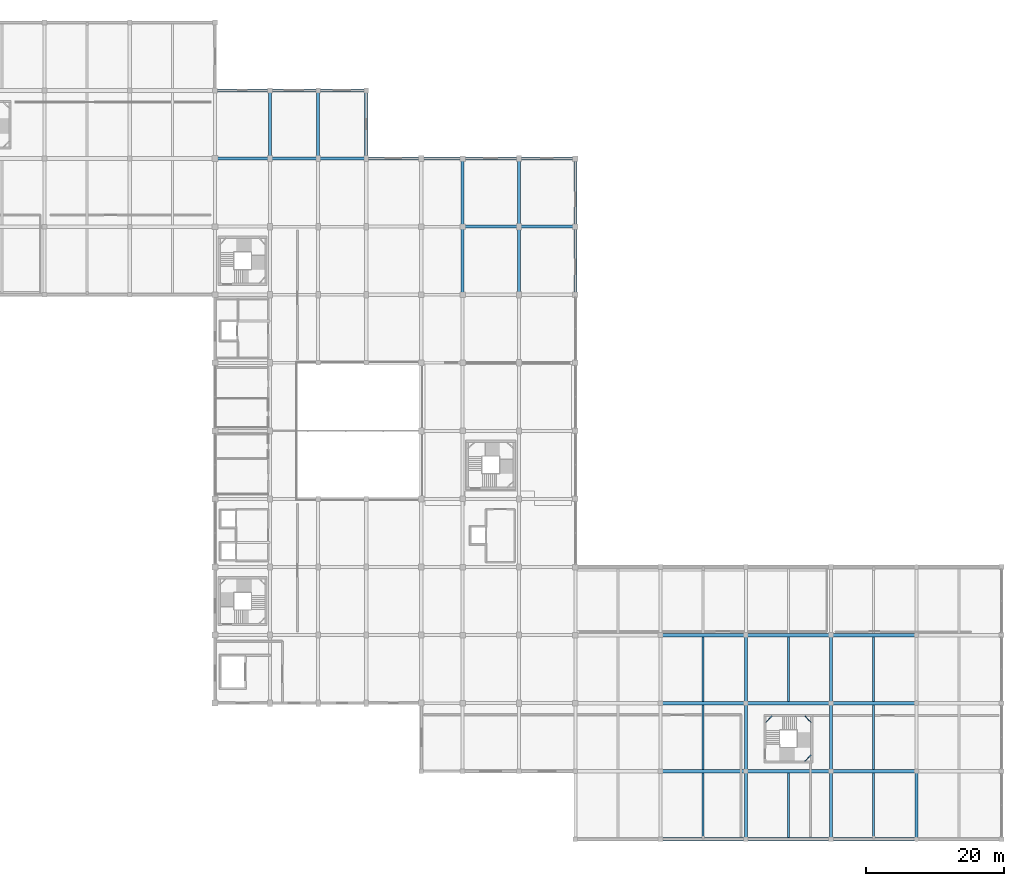
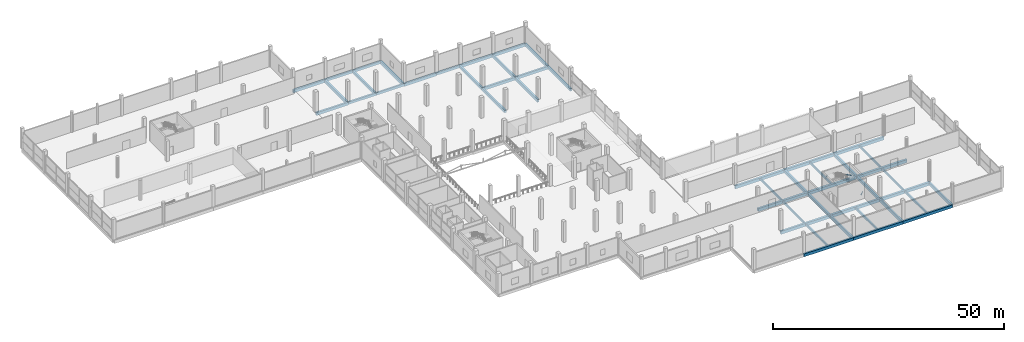
# One storey, part 33 of 74: 51 beams.
"""IFC4 building model written with IfcOpenShell, lengths in metres."""

from ifc_helpers import new_model, si_unit, direction, frame, origin, origin_2d, place, context, subcontext, project, spatial, rectangle, hollow_rectangle, extrude, material, material_profile, profile_set, type_object, element, save


model = new_model("IFC4")

# Units and contexts
model_context = context("Model", 3, precision=1e-05, world=origin(), true_north=direction((0.0, 1.0)))
body_context = subcontext(model_context, "Body", "Model", "MODEL_VIEW")
ifc_project = project(units=[si_unit("LENGTHUNIT", "METRE"), si_unit("AREAUNIT", "SQUARE_METRE"), si_unit("VOLUMEUNIT", "CUBIC_METRE"), si_unit("PLANEANGLEUNIT", "RADIAN"), si_unit("MASSUNIT", "GRAM", prefix="KILO")], contexts=[model_context])

# Site, building, storey
site_placement = place(None, origin())
site = spatial("IfcSite", under=ifc_project, at=site_placement, CompositionType="ELEMENT")
building_placement = place(site_placement, origin())
building = spatial("IfcBuilding", under=site, at=building_placement, Name="Sillaruma Civic Art Gallery", CompositionType="ELEMENT")
storey_placement = place(building_placement, frame((0.0, 0.0, 5.43994140625)))
storey = spatial("IfcBuildingStorey", under=building, at=storey_placement, Name="L01", CompositionType="ELEMENT", Elevation=5.43994140625)

# Beams
ifc_material_1 = material(Name="Concrete H35 (35 MPa)", Category="concrete")
ifc_material_profile_1 = material_profile(ifc_material_1, rectangle(XDim=0.39990234375, YDim=0.64990234375, at=origin_2d()), Name="RCB400x650")
ifc_profile_set_1 = profile_set([ifc_material_profile_1], Name="Concrete H35 (35 MPa)")
beam_type_1 = type_object("IfcBeamType", Name="BM-BEAM-RCB400x650", PredefinedType="BEAM", material=ifc_profile_set_1)
for number, where, z_axis, x_axis, name in (
    (1, (70.0, 99.0, -0.5849609375), (1.0, 0.0, 0.0), (0.0, 1.0, 0.0), "Beam BM-05 (L00:11:G-H)"),
    (2, (77.0, 99.0, -0.5849609375), (1.0, 0.0, 0.0), (0.0, 1.0, 0.0), "Beam BM-05 (L00:11:H-J)"),
):
    element("IfcBeam", number, at=place(storey_placement, frame(where, z_axis=z_axis, x_axis=x_axis)), inside=storey, type_object=beam_type_1, Name=name, PredefinedType="BEAM", context=body_context, shape_type="SweptSolid", body=[
        extrude(rectangle(XDim=0.39990234375, YDim=0.64990234375, at=origin_2d()), origin(), (0.0, 0.0, 1.0), 7.0),
    ])
beam_1_placement = place(storey_placement, frame((92.0, 99.0, -0.5849609375), z_axis=(1.0, 0.0, 0.0), x_axis=(0.0, 1.0, 0.0)))
element("IfcBeam", 3, at=beam_1_placement, inside=storey, type_object=beam_type_1, Name="Beam BM-05 (L00:11:K-L)", PredefinedType="BEAM", context=body_context, shape_type="SweptSolid", body=[
    extrude(rectangle(XDim=0.39990234375, YDim=0.64990234375, at=origin_2d()), origin(), (0.0, 0.0, 1.0), 6.0),
])
for number, where, z_axis, x_axis, name in (
    (4, (70.0, 108.89990234375, -0.5849609375), (1.0, 0.0, 0.0), (0.0, 1.0, 0.0), "Beam BM-05 (L00:12:G-H)"),
    (5, (77.0, 108.89990234375, -0.5849609375), (1.0, 0.0, 0.0), (0.0, 1.0, 0.0), "Beam BM-05 (L00:12:H-J)"),
):
    element("IfcBeam", number, at=place(storey_placement, frame(where, z_axis=z_axis, x_axis=x_axis)), inside=storey, type_object=beam_type_1, Name=name, PredefinedType="BEAM", context=body_context, shape_type="SweptSolid", body=[
        extrude(rectangle(XDim=0.39990234375, YDim=0.64990234375, at=origin_2d()), origin(), (0.0, 0.0, 1.0), 7.0),
    ])
ifc_material_2 = material(Name="Concrete H40 (40 MPa)", Category="concrete")
ifc_material_profile_2 = material_profile(ifc_material_2, rectangle(XDim=0.449951171875, YDim=0.75, at=origin_2d()), Name="RCB450x750")
ifc_profile_set_2 = profile_set([ifc_material_profile_2], Name="Concrete H40 (40 MPa)")
beam_type_2 = type_object("IfcBeamType", Name="BM-BEAM-RCB450x750", PredefinedType="BEAM", material=ifc_profile_set_2)
for number, where, z_axis, x_axis, name in (
    (6, (98.0, 89.10009765625, -0.635009765625), (1.0, 0.0, 0.0), (0.0, 1.0, 0.0), "Beam BM-03 (L00:10:L-M)"),
    (7, (106.199951171875, 89.10009765625, -0.635009765625), (1.0, 0.0, 0.0), (0.0, 1.0, 0.0), "Beam BM-03 (L00:10:M-N)"),
):
    element("IfcBeam", number, at=place(storey_placement, frame(where, z_axis=z_axis, x_axis=x_axis)), inside=storey, type_object=beam_type_2, Name=name, PredefinedType="BEAM", context=body_context, shape_type="SweptSolid", body=[
        extrude(rectangle(XDim=0.449951171875, YDim=0.75, at=origin_2d()), origin(), (0.0, 0.0, 1.0), 8.199951171875),
    ])
for number, where, z_axis, x_axis, name in (
    (8, (62.0, 99.0, -0.635009765625), (1.0, 0.0, 0.0), (0.0, 1.0, 0.0), "Beam BM-03 (L00:11:F-G)"),
    (9, (84.0, 99.0, -0.635009765625), (1.0, 0.0, 0.0), (0.0, 1.0, 0.0), "Beam BM-03 (L00:11:J-K)"),
):
    element("IfcBeam", number, at=place(storey_placement, frame(where, z_axis=z_axis, x_axis=x_axis)), inside=storey, type_object=beam_type_2, Name=name, PredefinedType="BEAM", context=body_context, shape_type="SweptSolid", body=[
        extrude(rectangle(XDim=0.449951171875, YDim=0.75, at=origin_2d()), origin(), (0.0, 0.0, 1.0), 8.0),
    ])
for number, where, z_axis, x_axis, name in (
    (10, (98.0, 99.0, -0.635009765625), (1.0, 0.0, 0.0), (0.0, 1.0, 0.0), "Beam BM-03 (L00:11:L-M)"),
    (11, (106.199951171875, 99.0, -0.635009765625), (1.0, 0.0, 0.0), (0.0, 1.0, 0.0), "Beam BM-03 (L00:11:M-N)"),
):
    element("IfcBeam", number, at=place(storey_placement, frame(where, z_axis=z_axis, x_axis=x_axis)), inside=storey, type_object=beam_type_2, Name=name, PredefinedType="BEAM", context=body_context, shape_type="SweptSolid", body=[
        extrude(rectangle(XDim=0.449951171875, YDim=0.75, at=origin_2d()), origin(), (0.0, 0.0, 1.0), 8.199951171875),
    ])
beam_2_placement = place(storey_placement, frame((62.0, 108.89990234375, -0.635009765625), z_axis=(1.0, 0.0, 0.0), x_axis=(0.0, 1.0, 0.0)))
element("IfcBeam", 12, at=beam_2_placement, inside=storey, type_object=beam_type_2, Name="Beam BM-03 (L00:12:F-G)", PredefinedType="BEAM", context=body_context, shape_type="SweptSolid", body=[
    extrude(rectangle(XDim=0.449951171875, YDim=0.75, at=origin_2d()), origin(), (0.0, 0.0, 1.0), 8.0),
])
for number, where, z_axis, x_axis, name in (
    (13, (70.0, 99.0, -0.635009765625), (0.0, 1.0, 0.0), (-1.0, 0.0, 0.0), "Beam BM-03 (L00:G:11-12)"),
    (14, (77.0, 99.0, -0.635009765625), (0.0, 1.0, 0.0), (-1.0, 0.0, 0.0), "Beam BM-03 (L00:H:11-12)"),
    (15, (84.0, 99.0, -0.635009765625), (0.0, 1.0, 0.0), (-1.0, 0.0, 0.0), "Beam BM-03 (L00:J:11-12)"),
):
    element("IfcBeam", number, at=place(storey_placement, frame(where, z_axis=z_axis, x_axis=x_axis)), inside=storey, type_object=beam_type_2, Name=name, PredefinedType="BEAM", context=body_context, shape_type="SweptSolid", body=[
        extrude(rectangle(XDim=0.449951171875, YDim=0.75, at=origin_2d()), origin(), (0.0, 0.0, 1.0), 9.89990234375),
    ])
beam_3_placement = place(storey_placement, frame((106.199951171875, 79.199951171875, -0.635009765625), z_axis=(0.0, 1.0, 0.0), x_axis=(-1.0, 0.0, 0.0)))
element("IfcBeam", 16, at=beam_3_placement, inside=storey, type_object=beam_type_2, Name="Beam BM-03 (L00:M:9-10)", PredefinedType="BEAM", context=body_context, shape_type="SweptSolid", body=[
    extrude(rectangle(XDim=0.449951171875, YDim=0.75, at=origin_2d()), origin(), (0.0, 0.0, 1.0), 9.900146484375),
])
for number, where, z_axis, x_axis, name in (
    (17, (106.199951171875, 89.10009765625, -0.635009765625), (0.0, 1.0, 0.0), (-1.0, 0.0, 0.0), "Beam BM-03 (L00:M:10-11)"),
    (18, (139.199951171875, 0.0, -0.635009765625), (0.0, 1.0, 0.0), (-1.0, 0.0, 0.0), "Beam BM-03 (L00:Q:1-2)"),
):
    element("IfcBeam", number, at=place(storey_placement, frame(where, z_axis=z_axis, x_axis=x_axis)), inside=storey, type_object=beam_type_2, Name=name, PredefinedType="BEAM", context=body_context, shape_type="SweptSolid", body=[
        extrude(rectangle(XDim=0.449951171875, YDim=0.75, at=origin_2d()), origin(), (0.0, 0.0, 1.0), 9.89990234375),
    ])
beam_4_placement = place(storey_placement, frame((139.199951171875, 9.89990234375, -0.635009765625), z_axis=(0.0, 1.0, 0.0), x_axis=(-1.0, 0.0, 0.0)))
element("IfcBeam", 19, at=beam_4_placement, inside=storey, type_object=beam_type_2, Name="Beam BM-03 (L00:Q:2-3)", PredefinedType="BEAM", context=body_context, shape_type="SweptSolid", body=[
    extrude(rectangle(XDim=0.449951171875, YDim=0.75, at=origin_2d()), origin(), (0.0, 0.0, 1.0), 9.900146484375),
])
for number, where, z_axis, x_axis, name in (
    (20, (139.199951171875, 19.800048828125, -0.635009765625), (0.0, 1.0, 0.0), (-1.0, 0.0, 0.0), "Beam BM-03 (L00:Q:3-4)"),
    (21, (151.60009765625, 0.0, -0.635009765625), (0.0, 1.0, 0.0), (-1.0, 0.0, 0.0), "Beam BM-03 (L00:R:1-2)"),
):
    element("IfcBeam", number, at=place(storey_placement, frame(where, z_axis=z_axis, x_axis=x_axis)), inside=storey, type_object=beam_type_2, Name=name, PredefinedType="BEAM", context=body_context, shape_type="SweptSolid", body=[
        extrude(rectangle(XDim=0.449951171875, YDim=0.75, at=origin_2d()), origin(), (0.0, 0.0, 1.0), 9.89990234375),
    ])
beam_5_placement = place(storey_placement, frame((151.60009765625, 9.89990234375, -0.635009765625), z_axis=(0.0, 1.0, 0.0), x_axis=(-1.0, 0.0, 0.0)))
element("IfcBeam", 22, at=beam_5_placement, inside=storey, type_object=beam_type_2, Name="Beam BM-03 (L00:R:2-3)", PredefinedType="BEAM", context=body_context, shape_type="SweptSolid", body=[
    extrude(rectangle(XDim=0.449951171875, YDim=0.75, at=origin_2d()), origin(), (0.0, 0.0, 1.0), 9.900146484375),
])
for number, where, z_axis, x_axis, name in (
    (23, (151.60009765625, 19.800048828125, -0.635009765625), (0.0, 1.0, 0.0), (-1.0, 0.0, 0.0), "Beam BM-03 (L00:R:3-4)"),
    (24, (164.0, 0.0, -0.635009765625), (0.0, 1.0, 0.0), (-1.0, 0.0, 0.0), "Beam BM-03 (L00:S:1-2)"),
):
    element("IfcBeam", number, at=place(storey_placement, frame(where, z_axis=z_axis, x_axis=x_axis)), inside=storey, type_object=beam_type_2, Name=name, PredefinedType="BEAM", context=body_context, shape_type="SweptSolid", body=[
        extrude(rectangle(XDim=0.449951171875, YDim=0.75, at=origin_2d()), origin(), (0.0, 0.0, 1.0), 9.89990234375),
    ])
ifc_material_profile_3 = material_profile(ifc_material_1, rectangle(XDim=0.300048828125, YDim=0.52001953125, at=origin_2d()), Name="RCB300x520")
ifc_profile_set_3 = profile_set([ifc_material_profile_3], Name="Concrete H35 (35 MPa)")
beam_type_3 = type_object("IfcBeamType", Name="BM-JOIST-RCB300x520", PredefinedType="JOIST", material=ifc_profile_set_3)
for number, where, z_axis, x_axis, name in (
    (25, (133.0, 0.22509765625, -0.52001953125), (0.0, 1.0, 0.0), (-1.0, 0.0, 0.0), "Floor Joist JR-01 (L00:PQ:1-2)"),
    (26, (145.39990234375, 0.22509765625, -0.52001953125), (0.0, 1.0, 0.0), (-1.0, 0.0, 0.0), "Floor Joist JR-01 (L00:QR:1-2)"),
    (27, (157.800048828125, 0.22509765625, -0.52001953125), (0.0, 1.0, 0.0), (-1.0, 0.0, 0.0), "Floor Joist JR-01 (L00:RS:1-2)"),
):
    element("IfcBeam", number, at=place(storey_placement, frame(where, z_axis=z_axis, x_axis=x_axis)), inside=storey, type_object=beam_type_3, Name=name, PredefinedType="JOIST", context=body_context, shape_type="SweptSolid", body=[
        extrude(rectangle(XDim=0.300048828125, YDim=0.52001953125, at=origin_2d()), origin(), (0.0, 0.0, 1.0), 9.414794921875),
    ])
for number, where, z_axis, x_axis, name in (
    (28, (133.0, 10.159912109375, -0.52001953125), (0.0, 1.0, 0.0), (-1.0, 0.0, 0.0), "Floor Joist JR-01 (L00:PQ:2-3)"),
    (29, (157.800048828125, 10.159912109375, -0.52001953125), (0.0, 1.0, 0.0), (-1.0, 0.0, 0.0), "Floor Joist JR-01 (L00:RS:2-3)"),
):
    element("IfcBeam", number, at=place(storey_placement, frame(where, z_axis=z_axis, x_axis=x_axis)), inside=storey, type_object=beam_type_3, Name=name, PredefinedType="JOIST", context=body_context, shape_type="SweptSolid", body=[
        extrude(rectangle(XDim=0.300048828125, YDim=0.52001953125, at=origin_2d()), origin(), (0.0, 0.0, 1.0), 9.380126953125),
    ])
for number, where, z_axis, x_axis, name in (
    (30, (133.0, 20.06005859375, -0.52001953125), (0.0, 1.0, 0.0), (-1.0, 0.0, 0.0), "Floor Joist JR-01 (L00:PQ:3-4)"),
    (31, (145.39990234375, 20.06005859375, -0.52001953125), (0.0, 1.0, 0.0), (-1.0, 0.0, 0.0), "Floor Joist JR-01 (L00:QR:3-4)"),
    (32, (157.800048828125, 20.06005859375, -0.52001953125), (0.0, 1.0, 0.0), (-1.0, 0.0, 0.0), "Floor Joist JR-01 (L00:RS:3-4)"),
):
    element("IfcBeam", number, at=place(storey_placement, frame(where, z_axis=z_axis, x_axis=x_axis)), inside=storey, type_object=beam_type_3, Name=name, PredefinedType="JOIST", context=body_context, shape_type="SweptSolid", body=[
        extrude(rectangle(XDim=0.300048828125, YDim=0.52001953125, at=origin_2d()), origin(), (0.0, 0.0, 1.0), 9.3798828125),
    ])
ifc_material_3 = material(Name="Structural Steel ASTM A500 Gr.C", Category="steel")
ifc_material_profile_4 = material_profile(ifc_material_3, hollow_rectangle(XDim=0.080078125, YDim=0.159912109375, WallThickness=0.008056640625, InnerFilletRadius=0.008056640625, OuterFilletRadius=0.01611328125, at=origin_2d()), Name="HSS160x80x8")
ifc_profile_set_4 = profile_set([ifc_material_profile_4], Name="Structural Steel ASTM A500 Gr.C")
beam_type_4 = type_object("IfcBeamType", Name="BM-LND-HSS160", PredefinedType="BEAM", material=ifc_profile_set_4)
for number, where, z_axis, x_axis, name in (
    (33, (147.7900390625, 11.360107421875, 1.080078125), (0.707106781187, 0.707106781187, 0.0), (-0.707106781187, 0.707106781187, 0.0), "Stair Corner Landing Trimmer Beam (ST-05-L01-1)"),
    (34, (147.7900390625, 17.919921875, 2.43994140625), (0.707106781187, -0.707106781187, 0.0), (0.707106781187, 0.707106781187, 0.0), "Stair Corner Landing Trimmer Beam (ST-05-L01-2)"),
    (35, (142.1201171875, 17.030029296875, 3.800048828125), (0.707106781187, 0.707106781187, 0.0), (-0.707106781187, 0.707106781187, 0.0), "Stair Corner Landing Trimmer Beam (ST-05-L01-3)"),
):
    element("IfcBeam", number, at=place(storey_placement, frame(where, z_axis=z_axis, x_axis=x_axis)), inside=storey, type_object=beam_type_4, Name=name, PredefinedType="BEAM", context=body_context, shape_type="SweptSolid", body=[
        extrude(hollow_rectangle(XDim=0.080078125, YDim=0.159912109375, WallThickness=0.008056640625, InnerFilletRadius=0.008056640625, OuterFilletRadius=0.01611328125, at=origin_2d()), origin(), (0.0, 0.0, 1.0), 1.258544921875),
    ])
ifc_material_profile_5 = material_profile(ifc_material_1, rectangle(XDim=0.449951171875, YDim=0.699951171875, at=origin_2d()), Name="RCB450x700")
ifc_profile_set_5 = profile_set([ifc_material_profile_5], Name="Concrete H35 (35 MPa)")
beam_type_5 = type_object("IfcBeamType", Name="BM-SPANDREL-RCB450x700", PredefinedType="SPANDREL", material=ifc_profile_set_5)
beam_6_placement = place(storey_placement, frame((98.0, 79.199951171875, -0.60986328125), z_axis=(0.0, 1.0, 0.0), x_axis=(-1.0, 0.0, 0.0)))
element("IfcBeam", 36, at=beam_6_placement, inside=storey, type_object=beam_type_5, Name="Beam BS-03 (L00:L:9-10)", PredefinedType="SPANDREL", context=body_context, shape_type="SweptSolid", body=[
    extrude(rectangle(XDim=0.449951171875, YDim=0.699951171875, at=origin_2d()), origin(), (0.0, 0.0, 1.0), 9.900146484375),
])
beam_7_placement = place(storey_placement, frame((98.0, 89.10009765625, -0.60986328125), z_axis=(0.0, 1.0, 0.0), x_axis=(-1.0, 0.0, 0.0)))
element("IfcBeam", 37, at=beam_7_placement, inside=storey, type_object=beam_type_5, Name="Beam BS-03 (L00:L:10-11)", PredefinedType="SPANDREL", context=body_context, shape_type="SweptSolid", body=[
    extrude(rectangle(XDim=0.449951171875, YDim=0.699951171875, at=origin_2d()), origin(), (0.0, 0.0, 1.0), 9.89990234375),
])
beam_8_placement = place(storey_placement, frame((114.39990234375, 79.199951171875, -0.60986328125), z_axis=(0.0, 1.0, 0.0), x_axis=(-1.0, 0.0, 0.0)))
element("IfcBeam", 38, at=beam_8_placement, inside=storey, type_object=beam_type_5, Name="Beam BS-03 (L00:N:9-10)", PredefinedType="SPANDREL", context=body_context, shape_type="SweptSolid", body=[
    extrude(rectangle(XDim=0.449951171875, YDim=0.699951171875, at=origin_2d()), origin(), (0.0, 0.0, 1.0), 9.900146484375),
])
beam_9_placement = place(storey_placement, frame((114.39990234375, 89.10009765625, -0.60986328125), z_axis=(0.0, 1.0, 0.0), x_axis=(-1.0, 0.0, 0.0)))
element("IfcBeam", 39, at=beam_9_placement, inside=storey, type_object=beam_type_5, Name="Beam BS-03 (L00:N:10-11)", PredefinedType="SPANDREL", context=body_context, shape_type="SweptSolid", body=[
    extrude(rectangle(XDim=0.449951171875, YDim=0.699951171875, at=origin_2d()), origin(), (0.0, 0.0, 1.0), 9.89990234375),
])
ifc_material_profile_6 = material_profile(ifc_material_2, rectangle(XDim=0.449951171875, YDim=0.75, at=origin_2d()), Name="RCB450x750")
ifc_profile_set_6 = profile_set([ifc_material_profile_6], Name="Concrete H40 (40 MPa)")
beam_type_6 = type_object("IfcBeamType", Name="BM-SPANDREL-RCB450x750", PredefinedType="SPANDREL", material=ifc_profile_set_6)
beam_10_placement = place(storey_placement, frame((126.800048828125, 0.0, -0.635009765625), z_axis=(1.0, 0.0, 0.0), x_axis=(0.0, 1.0, 0.0)))
element("IfcBeam", 40, at=beam_10_placement, inside=storey, type_object=beam_type_6, Name="Beam BS-01 (L00:1:P-Q)", PredefinedType="SPANDREL", context=body_context, shape_type="SweptSolid", body=[
    extrude(rectangle(XDim=0.449951171875, YDim=0.75, at=origin_2d()), origin(), (0.0, 0.0, 1.0), 12.39990234375),
])
beam_11_placement = place(storey_placement, frame((139.199951171875, 0.0, -0.635009765625), z_axis=(1.0, 0.0, 0.0), x_axis=(0.0, 1.0, 0.0)))
element("IfcBeam", 41, at=beam_11_placement, inside=storey, type_object=beam_type_6, Name="Beam BS-01 (L00:1:Q-R)", PredefinedType="SPANDREL", context=body_context, shape_type="SweptSolid", body=[
    extrude(rectangle(XDim=0.449951171875, YDim=0.75, at=origin_2d()), origin(), (0.0, 0.0, 1.0), 12.400146484375),
])
beam_12_placement = place(storey_placement, frame((151.60009765625, 0.0, -0.635009765625), z_axis=(1.0, 0.0, 0.0), x_axis=(0.0, 1.0, 0.0)))
element("IfcBeam", 42, at=beam_12_placement, inside=storey, type_object=beam_type_6, Name="Beam BS-01 (L00:1:R-S)", PredefinedType="SPANDREL", context=body_context, shape_type="SweptSolid", body=[
    extrude(rectangle(XDim=0.449951171875, YDim=0.75, at=origin_2d()), origin(), (0.0, 0.0, 1.0), 12.39990234375),
])
ifc_material_profile_7 = material_profile(ifc_material_2, rectangle(XDim=0.52001953125, YDim=0.780029296875, at=origin_2d()), Name="RCT520x780")
ifc_profile_set_7 = profile_set([ifc_material_profile_7], Name="Concrete H40 (40 MPa)")
beam_type_7 = type_object("IfcBeamType", Name="BM-T_BEAM-RCT520x780", PredefinedType="T_BEAM", material=ifc_profile_set_7)
beam_13_placement = place(storey_placement, frame((126.800048828125, 9.89990234375, -0.64990234375), z_axis=(1.0, 0.0, 0.0), x_axis=(0.0, 1.0, 0.0)))
element("IfcBeam", 43, at=beam_13_placement, inside=storey, type_object=beam_type_7, Name="Beam BT-01 (L00:2:P-Q)", PredefinedType="T_BEAM", context=body_context, shape_type="SweptSolid", body=[
    extrude(rectangle(XDim=0.52001953125, YDim=0.780029296875, at=origin_2d()), origin(), (0.0, 0.0, 1.0), 12.39990234375),
])
beam_14_placement = place(storey_placement, frame((139.199951171875, 9.89990234375, -0.64990234375), z_axis=(1.0, 0.0, 0.0), x_axis=(0.0, 1.0, 0.0)))
element("IfcBeam", 44, at=beam_14_placement, inside=storey, type_object=beam_type_7, Name="Beam BT-01 (L00:2:Q-R)", PredefinedType="T_BEAM", context=body_context, shape_type="SweptSolid", body=[
    extrude(rectangle(XDim=0.52001953125, YDim=0.780029296875, at=origin_2d()), origin(), (0.0, 0.0, 1.0), 12.400146484375),
])
for number, where, z_axis, x_axis, name in (
    (45, (151.60009765625, 9.89990234375, -0.64990234375), (1.0, 0.0, 0.0), (0.0, 1.0, 0.0), "Beam BT-01 (L00:2:R-S)"),
    (46, (126.800048828125, 19.800048828125, -0.64990234375), (1.0, 0.0, 0.0), (0.0, 1.0, 0.0), "Beam BT-01 (L00:3:P-Q)"),
):
    element("IfcBeam", number, at=place(storey_placement, frame(where, z_axis=z_axis, x_axis=x_axis)), inside=storey, type_object=beam_type_7, Name=name, PredefinedType="T_BEAM", context=body_context, shape_type="SweptSolid", body=[
        extrude(rectangle(XDim=0.52001953125, YDim=0.780029296875, at=origin_2d()), origin(), (0.0, 0.0, 1.0), 12.39990234375),
    ])
beam_15_placement = place(storey_placement, frame((139.199951171875, 19.800048828125, -0.64990234375), z_axis=(1.0, 0.0, 0.0), x_axis=(0.0, 1.0, 0.0)))
element("IfcBeam", 47, at=beam_15_placement, inside=storey, type_object=beam_type_7, Name="Beam BT-01 (L00:3:Q-R)", PredefinedType="T_BEAM", context=body_context, shape_type="SweptSolid", body=[
    extrude(rectangle(XDim=0.52001953125, YDim=0.780029296875, at=origin_2d()), origin(), (0.0, 0.0, 1.0), 12.400146484375),
])
for number, where, z_axis, x_axis, name in (
    (48, (151.60009765625, 19.800048828125, -0.64990234375), (1.0, 0.0, 0.0), (0.0, 1.0, 0.0), "Beam BT-01 (L00:3:R-S)"),
    (49, (126.800048828125, 29.699951171875, -0.64990234375), (1.0, 0.0, 0.0), (0.0, 1.0, 0.0), "Beam BT-01 (L00:4:P-Q)"),
):
    element("IfcBeam", number, at=place(storey_placement, frame(where, z_axis=z_axis, x_axis=x_axis)), inside=storey, type_object=beam_type_7, Name=name, PredefinedType="T_BEAM", context=body_context, shape_type="SweptSolid", body=[
        extrude(rectangle(XDim=0.52001953125, YDim=0.780029296875, at=origin_2d()), origin(), (0.0, 0.0, 1.0), 12.39990234375),
    ])
beam_16_placement = place(storey_placement, frame((139.199951171875, 29.699951171875, -0.64990234375), z_axis=(1.0, 0.0, 0.0), x_axis=(0.0, 1.0, 0.0)))
element("IfcBeam", 50, at=beam_16_placement, inside=storey, type_object=beam_type_7, Name="Beam BT-01 (L00:4:Q-R)", PredefinedType="T_BEAM", context=body_context, shape_type="SweptSolid", body=[
    extrude(rectangle(XDim=0.52001953125, YDim=0.780029296875, at=origin_2d()), origin(), (0.0, 0.0, 1.0), 12.400146484375),
])
beam_17_placement = place(storey_placement, frame((151.60009765625, 29.699951171875, -0.64990234375), z_axis=(1.0, 0.0, 0.0), x_axis=(0.0, 1.0, 0.0)))
element("IfcBeam", 51, at=beam_17_placement, inside=storey, type_object=beam_type_7, Name="Beam BT-01 (L00:4:R-S)", PredefinedType="T_BEAM", context=body_context, shape_type="SweptSolid", body=[
    extrude(rectangle(XDim=0.52001953125, YDim=0.780029296875, at=origin_2d()), origin(), (0.0, 0.0, 1.0), 12.39990234375),
])

save(model, "model.ifc")
